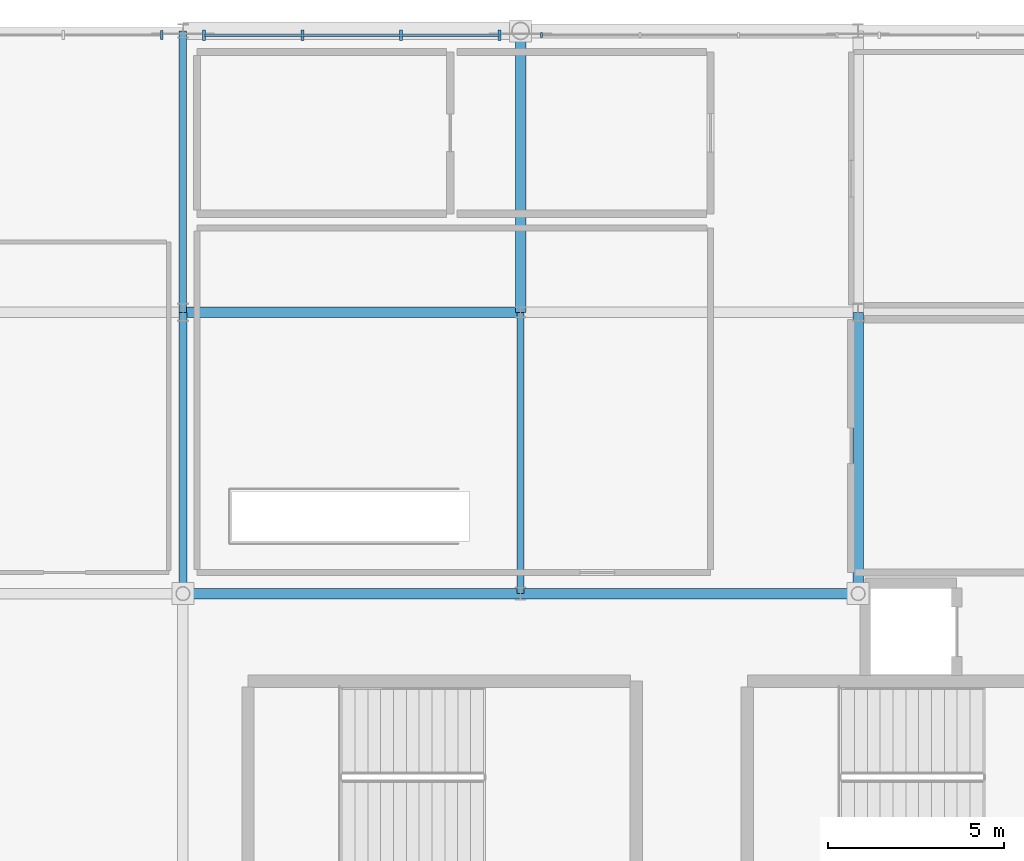
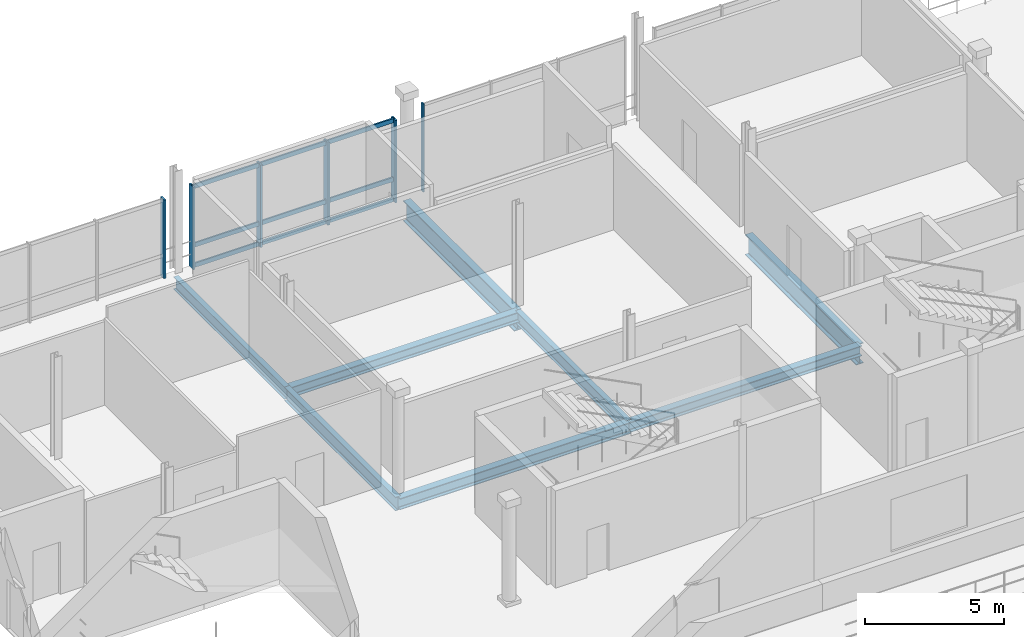
# One storey, part 12 of 26: 9 members, 8 beams, 3 elements without a shape of their own.
"""IFC4 building model written with IfcOpenShell, lengths in metres."""

from ifc_helpers import new_model, si_unit, direction, frame, origin, origin_2d, place, context, subcontext, project, spatial, rectangle, i_section, extrude, material, material_profile, profile_set, type_object, element, aggregate, save


model = new_model("IFC4")

# Units and contexts
model_context = context("Model", 3, precision=1e-05, world=origin(), true_north=direction((0.0, 1.0)))
body_context = subcontext(model_context, "Body", "Model", "MODEL_VIEW")
ifc_project = project(units=[si_unit("LENGTHUNIT", "METRE"), si_unit("AREAUNIT", "SQUARE_METRE"), si_unit("VOLUMEUNIT", "CUBIC_METRE"), si_unit("PLANEANGLEUNIT", "RADIAN"), si_unit("MASSUNIT", "GRAM", prefix="KILO")], contexts=[model_context])

# Site, building, storey
site_placement = place(None, origin())
site = spatial("IfcSite", under=ifc_project, at=site_placement, CompositionType="ELEMENT")
building_placement = place(site_placement, origin())
building = spatial("IfcBuilding", under=site, at=building_placement, Name="Danafjord Basin Convention Centre", CompositionType="ELEMENT")
storey_placement = place(building_placement, frame((0.0, 0.0, 24.89990234375)))
storey = spatial("IfcBuildingStorey", under=building, at=storey_placement, Name="L05", CompositionType="ELEMENT", Elevation=24.89990234375)

# Beams
ifc_material_1 = material(Name="Steel S355", Category="steel")
ifc_material_profile_1 = material_profile(ifc_material_1, i_section(OverallWidth=0.300048828125, OverallDepth=0.449951171875, WebThickness=0.013916015625, FlangeThickness=0.02587890625, FilletRadius=0.027099609375, at=origin_2d()), Name="HEB 450")
ifc_profile_set_1 = profile_set([ifc_material_profile_1], Name="Steel S355")
beam_type_1 = type_object("IfcBeamType", Name="BEAM-BM-HEB450", PredefinedType="BEAM", material=ifc_profile_set_1)
beam_1_placement = place(storey_placement, frame((67.199951171875, 32.0, -0.474853515625), z_axis=(1.0, 0.0, 0.0), x_axis=(0.0, 1.0, 0.0)))
element("IfcBeam", 1, at=beam_1_placement, inside=storey, type_object=beam_type_1, Name="L05 girder BM-HEB450", PredefinedType="BEAM", context=body_context, shape_type="SweptSolid", body=[
    extrude(i_section(OverallWidth=0.300048828125, OverallDepth=0.449951171875, WebThickness=0.013916015625, FlangeThickness=0.02587890625, FilletRadius=0.027099609375, at=origin_2d()), origin(), (0.0, 0.0, 1.0), 9.60009765625),
])
beam_2_placement = place(storey_placement, frame((76.800048828125, 24.0, -0.474853515625), z_axis=(1.0, 0.0, 0.0), x_axis=(0.0, 1.0, 0.0)))
element("IfcBeam", 2, at=beam_2_placement, inside=storey, type_object=beam_type_1, Name="L05 girder BM-HEB450", PredefinedType="BEAM", context=body_context, shape_type="SweptSolid", body=[
    extrude(i_section(OverallWidth=0.300048828125, OverallDepth=0.449951171875, WebThickness=0.013916015625, FlangeThickness=0.02587890625, FilletRadius=0.027099609375, at=origin_2d()), origin(), (0.0, 0.0, 1.0), 9.599853515625),
])
ifc_material_profile_2 = material_profile(ifc_material_1, i_section(OverallWidth=0.300048828125, OverallDepth=0.5, WebThickness=0.014404296875, FlangeThickness=0.028076171875, FilletRadius=0.027099609375, at=origin_2d()), Name="HEB 500")
ifc_profile_set_2 = profile_set([ifc_material_profile_2], Name="Steel S355")
beam_type_2 = type_object("IfcBeamType", Name="BEAM-BM-HEB500", PredefinedType="BEAM", material=ifc_profile_set_2)
beam_3_placement = place(storey_placement, frame((67.199951171875, 24.0, -0.5), z_axis=(1.0, 0.0, 0.0), x_axis=(0.0, 1.0, 0.0)))
element("IfcBeam", 3, at=beam_3_placement, inside=storey, type_object=beam_type_2, Name="L05 girder BM-HEB500", PredefinedType="BEAM", context=body_context, shape_type="SweptSolid", body=[
    extrude(i_section(OverallWidth=0.300048828125, OverallDepth=0.5, WebThickness=0.014404296875, FlangeThickness=0.028076171875, FilletRadius=0.027099609375, at=origin_2d()), origin(), (0.0, 0.0, 1.0), 9.60009765625),
])
ifc_material_profile_3 = material_profile(ifc_material_1, i_section(OverallWidth=0.300048828125, OverallDepth=0.89990234375, WebThickness=0.0185546875, FlangeThickness=0.034912109375, FilletRadius=0.030029296875, at=origin_2d()), Name="HEB 900")
ifc_profile_set_3 = profile_set([ifc_material_profile_3], Name="Steel S355")
beam_type_3 = type_object("IfcBeamType", Name="BEAM-BM-HEB900", PredefinedType="BEAM", material=ifc_profile_set_3)
for number, where, z_axis, x_axis, name in (
    (4, (76.800048828125, 32.0, -0.699951171875), (0.0, 1.0, 0.0), (-1.0, 0.0, 0.0), "L05 transverse girder BM-HEB900"),
    (5, (86.39990234375, 24.0, -0.699951171875), (0.0, 1.0, 0.0), (-1.0, 0.0, 0.0), "L05 transverse girder BM-HEB900"),
):
    element("IfcBeam", number, at=place(storey_placement, frame(where, z_axis=z_axis, x_axis=x_axis)), inside=storey, type_object=beam_type_3, Name=name, PredefinedType="BEAM", context=body_context, shape_type="SweptSolid", body=[
        extrude(i_section(OverallWidth=0.300048828125, OverallDepth=0.89990234375, WebThickness=0.0185546875, FlangeThickness=0.034912109375, FilletRadius=0.030029296875, at=origin_2d()), origin(), (0.0, 0.0, 1.0), 8.0),
    ])
ifc_material_profile_4 = material_profile(ifc_material_1, i_section(OverallWidth=0.2099609375, OverallDepth=0.550048828125, WebThickness=0.010986328125, FlangeThickness=0.01708984375, FilletRadius=0.02392578125, at=origin_2d()), Name="IPE 550")
ifc_profile_set_4 = profile_set([ifc_material_profile_4], Name="Steel S355")
beam_type_4 = type_object("IfcBeamType", Name="BEAM-BM-IPE550", PredefinedType="BEAM", material=ifc_profile_set_4)
for number, where, z_axis, x_axis, name in (
    (6, (67.199951171875, 32.0, -0.52490234375), (0.0, 1.0, 0.0), (-1.0, 0.0, 0.0), "L05 transverse girder BM-IPE550"),
    (7, (76.800048828125, 24.0, -0.52490234375), (0.0, 1.0, 0.0), (-1.0, 0.0, 0.0), "L05 transverse girder BM-IPE550"),
):
    element("IfcBeam", number, at=place(storey_placement, frame(where, z_axis=z_axis, x_axis=x_axis)), inside=storey, type_object=beam_type_4, Name=name, PredefinedType="BEAM", context=body_context, shape_type="SweptSolid", body=[
        extrude(i_section(OverallWidth=0.2099609375, OverallDepth=0.550048828125, WebThickness=0.010986328125, FlangeThickness=0.01708984375, FilletRadius=0.02392578125, at=origin_2d()), origin(), (0.0, 0.0, 1.0), 8.0),
    ])
ifc_material_profile_5 = material_profile(ifc_material_1, i_section(OverallWidth=0.219970703125, OverallDepth=0.60009765625, WebThickness=0.011962890625, FlangeThickness=0.01904296875, FilletRadius=0.02392578125, at=origin_2d()), Name="IPE 600")
ifc_profile_set_5 = profile_set([ifc_material_profile_5], Name="Steel S355")
beam_type_5 = type_object("IfcBeamType", Name="BEAM-BM-IPE600", PredefinedType="BEAM", material=ifc_profile_set_5)
beam_4_placement = place(storey_placement, frame((67.199951171875, 24.0, -0.5498046875), z_axis=(0.0, 1.0, 0.0), x_axis=(-1.0, 0.0, 0.0)))
element("IfcBeam", 8, at=beam_4_placement, inside=storey, type_object=beam_type_5, Name="L05 transverse girder BM-IPE600", PredefinedType="BEAM", context=body_context, shape_type="SweptSolid", body=[
    extrude(i_section(OverallWidth=0.219970703125, OverallDepth=0.60009765625, WebThickness=0.011962890625, FlangeThickness=0.01904296875, FilletRadius=0.02392578125, at=origin_2d()), origin(), (0.0, 0.0, 1.0), 8.0),
])

# Curtain wall, member
ifc_material_2 = material(Name="Anodised aluminium and triple glazing", Category="aluminium")
curtain_wall_type = type_object("IfcCurtainWallType", Name="CW-CW-TERR", PredefinedType="NOTDEFINED", material=ifc_material_2)
curtain_wall_1_placement = place(storey_placement, origin())
curtain_wall_1 = element("IfcCurtainWall", 9, at=curtain_wall_1_placement, inside=storey, type_object=curtain_wall_type, Name="L05 CW-TERR unitised curtain wall bay 105", PredefinedType="NOTDEFINED")
ifc_material_3 = material(Name="Anodised aluminium EN AW-6060", Category="aluminium")
ifc_material_profile_6 = material_profile(ifc_material_3, rectangle(XDim=0.06005859375, YDim=0.139892578125, at=origin_2d()), Name="MULL 60x140")
ifc_profile_set_6 = profile_set([ifc_material_profile_6], Name="Anodised aluminium EN AW-6060")
member_type_1 = type_object("IfcMemberType", Name="MEM-ML-140", PredefinedType="MULLION", material=ifc_profile_set_6)
member_1_placement = place(storey_placement, frame((77.39990234375, 39.8798828125, -0.02490234375), z_axis=(0.0, 0.0, 1.0), x_axis=(-1.0, 0.0, 0.0)))
member_1 = element("IfcMember", 10, at=member_1_placement, type_object=member_type_1, Name="CW-L05-105 mullion 4", PredefinedType="MULLION", context=body_context, shape_type="SweptSolid", body=[
    extrude(rectangle(XDim=0.06005859375, YDim=0.139892578125, at=origin_2d()), origin(), (0.0, 0.0, 1.0), 3.875),
])
aggregate(curtain_wall_1, [member_1])

curtain_wall_2_placement = place(storey_placement, origin())
curtain_wall_2 = element("IfcCurtainWall", 11, at=curtain_wall_2_placement, inside=storey, type_object=curtain_wall_type, Name="L05 CW-TERR unitised curtain wall bay 103", PredefinedType="NOTDEFINED")
ifc_material_profile_7 = material_profile(ifc_material_3, rectangle(XDim=0.070068359375, YDim=0.260009765625, at=origin_2d()), Name="MULL 70x260")
ifc_profile_set_7 = profile_set([ifc_material_profile_7], Name="Anodised aluminium EN AW-6060")
member_type_2 = type_object("IfcMemberType", Name="MEM-ML-260", PredefinedType="MULLION", material=ifc_profile_set_7)
member_2_placement = place(storey_placement, frame((66.60009765625, 39.8798828125, -0.02490234375), z_axis=(0.0, 0.0, 1.0), x_axis=(-1.0, 0.0, 0.0)))
member_2 = element("IfcMember", 12, at=member_2_placement, type_object=member_type_2, Name="CW-L05-103 mullion 1", PredefinedType="MULLION", context=body_context, shape_type="SweptSolid", body=[
    extrude(rectangle(XDim=0.070068359375, YDim=0.260009765625, at=origin_2d()), origin(), (0.0, 0.0, 1.0), 3.47509765625),
])
aggregate(curtain_wall_2, [member_2])

# Curtain wall, members
curtain_wall_3_placement = place(storey_placement, origin())
curtain_wall_3 = element("IfcCurtainWall", 13, at=curtain_wall_3_placement, inside=storey, type_object=curtain_wall_type, Name="L05 CW-TERR unitised curtain wall bay 104", PredefinedType="NOTDEFINED")
ifc_material_profile_8 = material_profile(ifc_material_3, rectangle(XDim=0.080078125, YDim=0.300048828125, at=origin_2d()), Name="MULL 80x300")
ifc_profile_set_8 = profile_set([ifc_material_profile_8], Name="Anodised aluminium EN AW-6060")
member_type_3 = type_object("IfcMemberType", Name="MEM-ML-300", PredefinedType="MULLION", material=ifc_profile_set_8)
member_3_placement = place(storey_placement, frame((76.199951171875, 39.8798828125, -0.02490234375), z_axis=(0.0, 0.0, 1.0), x_axis=(-1.0, 0.0, 0.0)))
member_3 = element("IfcMember", 14, at=member_3_placement, type_object=member_type_3, Name="CW-L05-104 mullion 1", PredefinedType="MULLION", context=body_context, shape_type="SweptSolid", body=[
    extrude(rectangle(XDim=0.080078125, YDim=0.300048828125, at=origin_2d()), origin(), (0.0, 0.0, 1.0), 3.625),
])
member_4_placement = place(storey_placement, frame((73.39990234375, 39.8798828125, -0.02490234375), z_axis=(0.0, 0.0, 1.0), x_axis=(-1.0, 0.0, 0.0)))
member_4 = element("IfcMember", 15, at=member_4_placement, type_object=member_type_3, Name="CW-L05-104 mullion 2", PredefinedType="MULLION", context=body_context, shape_type="SweptSolid", body=[
    extrude(rectangle(XDim=0.080078125, YDim=0.300048828125, at=origin_2d()), origin(), (0.0, 0.0, 1.0), 3.625),
])
member_5_placement = place(storey_placement, frame((70.60009765625, 39.8798828125, -0.02490234375), z_axis=(0.0, 0.0, 1.0), x_axis=(-1.0, 0.0, 0.0)))
member_5 = element("IfcMember", 16, at=member_5_placement, type_object=member_type_3, Name="CW-L05-104 mullion 3", PredefinedType="MULLION", context=body_context, shape_type="SweptSolid", body=[
    extrude(rectangle(XDim=0.080078125, YDim=0.300048828125, at=origin_2d()), origin(), (0.0, 0.0, 1.0), 3.625),
])
member_6_placement = place(storey_placement, frame((67.800048828125, 39.8798828125, -0.02490234375), z_axis=(0.0, 0.0, 1.0), x_axis=(-1.0, 0.0, 0.0)))
member_6 = element("IfcMember", 17, at=member_6_placement, type_object=member_type_3, Name="CW-L05-104 mullion 4", PredefinedType="MULLION", context=body_context, shape_type="SweptSolid", body=[
    extrude(rectangle(XDim=0.080078125, YDim=0.300048828125, at=origin_2d()), origin(), (0.0, 0.0, 1.0), 3.625),
])
ifc_material_profile_9 = material_profile(ifc_material_3, rectangle(XDim=0.06494140625, YDim=0.18994140625, at=origin_2d()), Name="TRAN 65x190")
ifc_profile_set_9 = profile_set([ifc_material_profile_9], Name="Anodised aluminium EN AW-6060")
member_type_4 = type_object("IfcMemberType", Name="MEM-TR-190", PredefinedType="USERDEFINED", material=ifc_profile_set_9)
member_7_placement = place(storey_placement, frame((76.199951171875, 39.8798828125, 0.06005859375), z_axis=(-1.0, 0.0, 0.0), x_axis=(0.0, -1.0, 0.0)))
member_7 = element("IfcMember", 18, at=member_7_placement, type_object=member_type_4, Name="CW-L05-104 transom 1", ObjectType="TRANSOM", PredefinedType="USERDEFINED", context=body_context, shape_type="SweptSolid", body=[
    extrude(rectangle(XDim=0.06494140625, YDim=0.18994140625, at=origin_2d()), origin(), (0.0, 0.0, 1.0), 8.39990234375),
])
member_8_placement = place(storey_placement, frame((76.199951171875, 39.8798828125, 0.9501953125), z_axis=(-1.0, 0.0, 0.0), x_axis=(0.0, -1.0, 0.0)))
member_8 = element("IfcMember", 19, at=member_8_placement, type_object=member_type_4, Name="CW-L05-104 transom 2", ObjectType="TRANSOM", PredefinedType="USERDEFINED", context=body_context, shape_type="SweptSolid", body=[
    extrude(rectangle(XDim=0.06494140625, YDim=0.18994140625, at=origin_2d()), origin(), (0.0, 0.0, 1.0), 8.39990234375),
])
member_9_placement = place(storey_placement, frame((76.199951171875, 39.8798828125, 3.530029296875), z_axis=(-1.0, 0.0, 0.0), x_axis=(0.0, -1.0, 0.0)))
member_9 = element("IfcMember", 20, at=member_9_placement, type_object=member_type_4, Name="CW-L05-104 transom 3", ObjectType="TRANSOM", PredefinedType="USERDEFINED", context=body_context, shape_type="SweptSolid", body=[
    extrude(rectangle(XDim=0.06494140625, YDim=0.18994140625, at=origin_2d()), origin(), (0.0, 0.0, 1.0), 8.39990234375),
])
aggregate(curtain_wall_3, [member_3, member_4, member_5, member_6, member_7, member_8, member_9])

save(model, "model.ifc")
